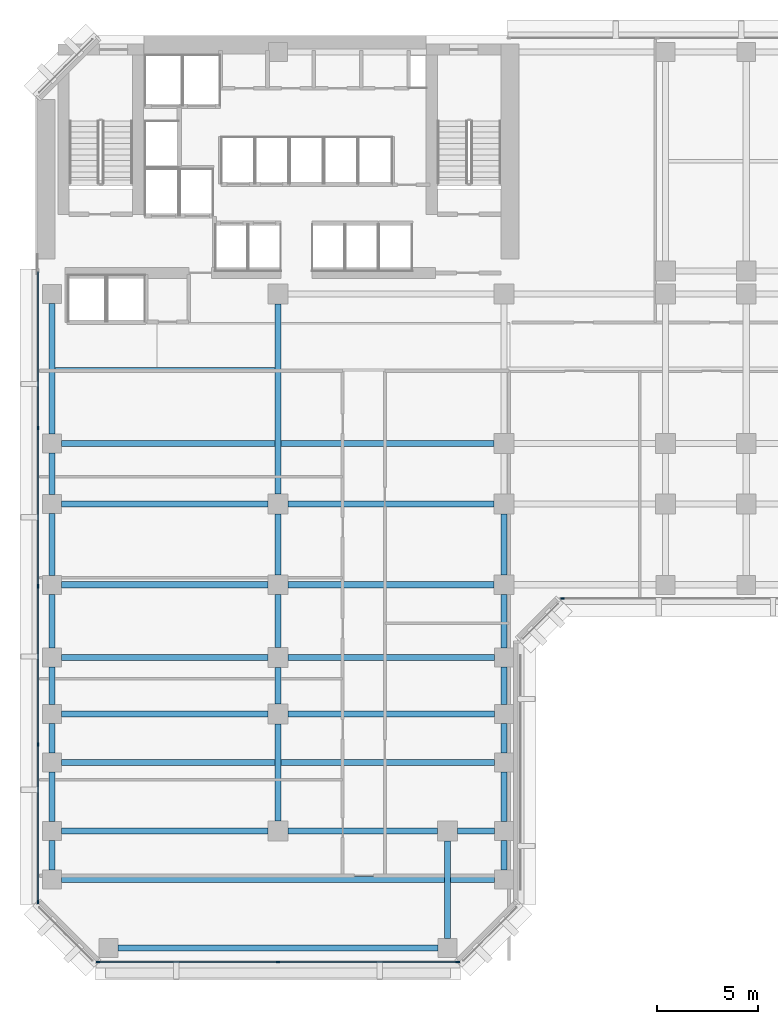
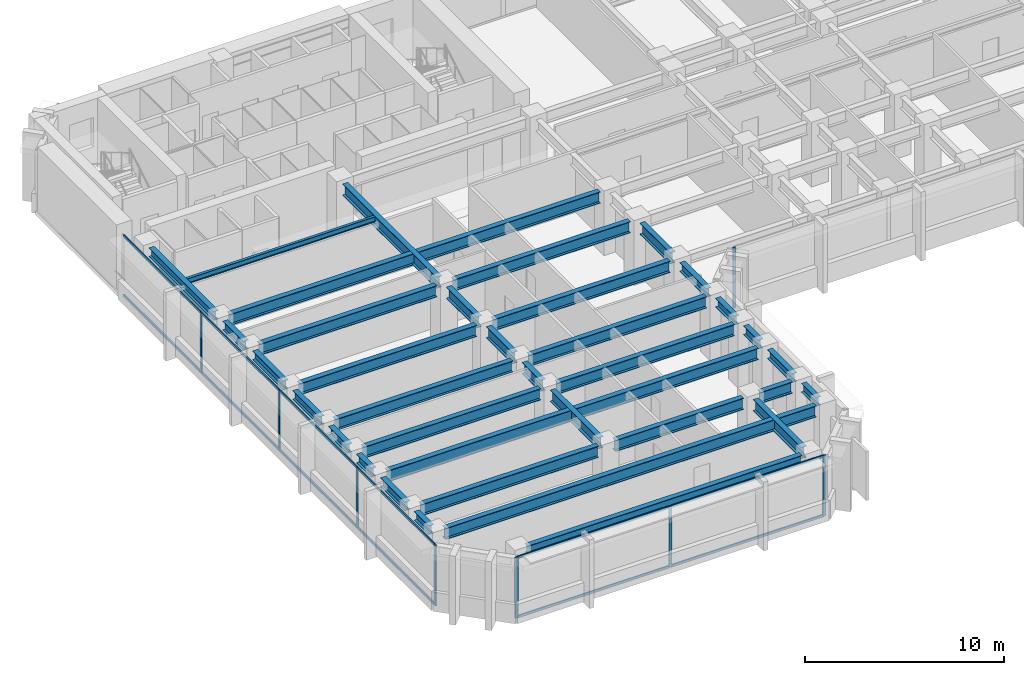
# One storey, part 2 of 13: 36 beams, 20 members, 3 elements without a shape of their own.
"""IFC4 building model written with IfcOpenShell, lengths in metres."""

from ifc_helpers import new_model, si_unit, direction, frame, origin, origin_2d, place, context, subcontext, project, spatial, rectangle, i_section, extrude, material, layer, layer_set, material_profile, profile_set, type_object, element, aggregate, save


model = new_model("IFC4")

# Units and contexts
model_context = context("Model", 3, precision=1e-05, world=origin(), true_north=direction((0.0, 1.0)))
body_context = subcontext(model_context, "Body", "Model", "MODEL_VIEW")
ifc_project = project(units=[si_unit("LENGTHUNIT", "METRE"), si_unit("AREAUNIT", "SQUARE_METRE"), si_unit("VOLUMEUNIT", "CUBIC_METRE"), si_unit("PLANEANGLEUNIT", "RADIAN"), si_unit("MASSUNIT", "GRAM", prefix="KILO")], contexts=[model_context])

# Site, building, storey
site_placement = place(None, origin())
site = spatial("IfcSite", under=ifc_project, at=site_placement, CompositionType="ELEMENT")
building_placement = place(site_placement, origin())
building = spatial("IfcBuilding", under=site, at=building_placement, Name="Kefirva Bronze Tower", CompositionType="ELEMENT")
storey_placement = place(building_placement, frame((0.0, 0.0, 58.080078125)))
storey = spatial("IfcBuildingStorey", under=building, at=storey_placement, Name="L13", CompositionType="ELEMENT", Elevation=58.080078125)

# Curtain wall, members
ifc_material_1 = material(Name="Bronze anodised aluminium", Category="aluminium")
ifc_layer = layer(ifc_material_1, 0.199951171875, Name="Bronze anodised aluminium")
ifc_layer_set = layer_set([ifc_layer], Name="Bronze anodised aluminium")
curtain_wall_type = type_object("IfcCurtainWallType", Name="Unitised Bronze Ribbon Curtain Wall Zone 1", PredefinedType="USERDEFINED", material=ifc_layer_set)
curtain_wall_1_placement = place(storey_placement, origin())
curtain_wall_1 = element("IfcCurtainWall", 1, at=curtain_wall_1_placement, inside=storey, type_object=curtain_wall_type, Name="L13 Curtain Wall 1", ObjectType="UNITISED CURTAIN WALL", PredefinedType="USERDEFINED")
ifc_material_profile_1 = material_profile(ifc_material_1, rectangle(XDim=0.074951171875, YDim=0.179931640625, at=origin_2d()), Name="ALU 75x180")
ifc_profile_set_1 = profile_set([ifc_material_profile_1], Name="Bronze anodised aluminium")
member_type_1 = type_object("IfcMemberType", Name="Bronze Mullion 75x180", PredefinedType="MULLION", material=ifc_profile_set_1)
member_1_placement = place(storey_placement, frame((3.092529296875, 0.1201171875, 0.0), z_axis=(0.0, 0.0, 1.0), x_axis=(0.0, 1.0, 0.0)))
member_1 = element("IfcMember", 2, at=member_1_placement, type_object=member_type_1, Name="CW-01 mullion 1", PredefinedType="MULLION", context=body_context, shape_type="SweptSolid", body=[
    extrude(rectangle(XDim=0.074951171875, YDim=0.179931640625, at=origin_2d()), origin(), (0.0, 0.0, 1.0), 3.7099609375),
])
member_2_placement = place(storey_placement, frame((12.0, 0.1201171875, 0.0), z_axis=(0.0, 0.0, 1.0), x_axis=(0.0, 1.0, 0.0)))
member_2 = element("IfcMember", 3, at=member_2_placement, type_object=member_type_1, Name="CW-01 mullion 2", PredefinedType="MULLION", context=body_context, shape_type="SweptSolid", body=[
    extrude(rectangle(XDim=0.074951171875, YDim=0.179931640625, at=origin_2d()), origin(), (0.0, 0.0, 1.0), 3.7099609375),
])
member_3_placement = place(storey_placement, frame((20.907470703125, 0.1201171875, 0.0), z_axis=(0.0, 0.0, 1.0), x_axis=(0.0, 1.0, 0.0)))
member_3 = element("IfcMember", 4, at=member_3_placement, type_object=member_type_1, Name="CW-01 mullion 3", PredefinedType="MULLION", context=body_context, shape_type="SweptSolid", body=[
    extrude(rectangle(XDim=0.074951171875, YDim=0.179931640625, at=origin_2d()), origin(), (0.0, 0.0, 1.0), 3.7099609375),
])

# Curtain wall, member
curtain_wall_2_placement = place(storey_placement, origin())
curtain_wall_2 = element("IfcCurtainWall", 5, at=curtain_wall_2_placement, inside=storey, type_object=curtain_wall_type, Name="L13 Curtain Wall 2", ObjectType="UNITISED CURTAIN WALL", PredefinedType="USERDEFINED")
member_4_placement = place(storey_placement, frame((26.092529296875, 18.1201171875, 0.0), z_axis=(0.0, 0.0, 1.0), x_axis=(0.0, 1.0, 0.0)))
member_4 = element("IfcMember", 6, at=member_4_placement, type_object=member_type_1, Name="CW-01 mullion 1", PredefinedType="MULLION", context=body_context, shape_type="SweptSolid", body=[
    extrude(rectangle(XDim=0.074951171875, YDim=0.179931640625, at=origin_2d()), origin(), (0.0, 0.0, 1.0), 3.7099609375),
])
aggregate(curtain_wall_2, [member_4])

# Curtain wall, members
curtain_wall_3_placement = place(storey_placement, origin())
curtain_wall_3 = element("IfcCurtainWall", 7, at=curtain_wall_3_placement, inside=storey, type_object=curtain_wall_type, Name="L13 Curtain Wall 5", ObjectType="UNITISED CURTAIN WALL", PredefinedType="USERDEFINED")
member_5_placement = place(storey_placement, frame((0.1201171875, 26.56005859375, 0.0), z_axis=(0.0, 0.0, 1.0), x_axis=(1.0, 0.0, 0.0)))
member_5 = element("IfcMember", 8, at=member_5_placement, type_object=member_type_1, Name="CW-01 mullion 2", PredefinedType="MULLION", context=body_context, shape_type="SweptSolid", body=[
    extrude(rectangle(XDim=0.074951171875, YDim=0.179931640625, at=origin_2d()), origin(), (0.0, 0.0, 1.0), 3.7099609375),
])
member_6_placement = place(storey_placement, frame((0.1201171875, 18.72509765625, 0.0), z_axis=(0.0, 0.0, 1.0), x_axis=(1.0, 0.0, 0.0)))
member_6 = element("IfcMember", 9, at=member_6_placement, type_object=member_type_1, Name="CW-01 mullion 3", PredefinedType="MULLION", context=body_context, shape_type="SweptSolid", body=[
    extrude(rectangle(XDim=0.074951171875, YDim=0.179931640625, at=origin_2d()), origin(), (0.0, 0.0, 1.0), 3.7099609375),
])
member_7_placement = place(storey_placement, frame((0.1201171875, 10.889892578125, 0.0), z_axis=(0.0, 0.0, 1.0), x_axis=(1.0, 0.0, 0.0)))
member_7 = element("IfcMember", 10, at=member_7_placement, type_object=member_type_1, Name="CW-01 mullion 4", PredefinedType="MULLION", context=body_context, shape_type="SweptSolid", body=[
    extrude(rectangle(XDim=0.074951171875, YDim=0.179931640625, at=origin_2d()), origin(), (0.0, 0.0, 1.0), 3.7099609375),
])
member_8_placement = place(storey_placement, frame((0.1201171875, 3.092529296875, 0.0), z_axis=(0.0, 0.0, 1.0), x_axis=(1.0, 0.0, 0.0)))
member_8 = element("IfcMember", 11, at=member_8_placement, type_object=member_type_1, Name="CW-01 mullion 5", PredefinedType="MULLION", context=body_context, shape_type="SweptSolid", body=[
    extrude(rectangle(XDim=0.074951171875, YDim=0.179931640625, at=origin_2d()), origin(), (0.0, 0.0, 1.0), 3.7099609375),
])

# Member
ifc_material_profile_2 = material_profile(ifc_material_1, rectangle(XDim=0.074951171875, YDim=0.14990234375, at=origin_2d()), Name="ALU 75x150")
ifc_profile_set_2 = profile_set([ifc_material_profile_2], Name="Bronze anodised aluminium")
member_type_2 = type_object("IfcMemberType", Name="Bronze Transom 75x150", PredefinedType="USERDEFINED", material=ifc_profile_set_2)
member_9_placement = place(storey_placement, frame((3.1298828125, 0.1201171875, 0.037353515625), z_axis=(1.0, 0.0, 0.0), x_axis=(0.0, 1.0, 0.0)))
member_9 = element("IfcMember", 12, at=member_9_placement, type_object=member_type_2, Name="CW-01 transom 1.1", ObjectType="TRANSOM", PredefinedType="USERDEFINED", context=body_context, shape_type="SweptSolid", body=[
    extrude(rectangle(XDim=0.074951171875, YDim=0.14990234375, at=origin_2d()), origin(), (0.0, 0.0, 1.0), 8.83251953125),
])

member_10_placement = place(storey_placement, frame((3.1298828125, 0.1201171875, 3.67236328125), z_axis=(1.0, 0.0, 0.0), x_axis=(0.0, 1.0, 0.0)))
member_10 = element("IfcMember", 13, at=member_10_placement, type_object=member_type_2, Name="CW-01 transom 1.2", ObjectType="TRANSOM", PredefinedType="USERDEFINED", context=body_context, shape_type="SweptSolid", body=[
    extrude(rectangle(XDim=0.074951171875, YDim=0.14990234375, at=origin_2d()), origin(), (0.0, 0.0, 1.0), 8.83251953125),
])

member_11_placement = place(storey_placement, frame((12.03759765625, 0.1201171875, 0.037353515625), z_axis=(1.0, 0.0, 0.0), x_axis=(0.0, 1.0, 0.0)))
member_11 = element("IfcMember", 14, at=member_11_placement, type_object=member_type_2, Name="CW-01 transom 2.1", ObjectType="TRANSOM", PredefinedType="USERDEFINED", context=body_context, shape_type="SweptSolid", body=[
    extrude(rectangle(XDim=0.074951171875, YDim=0.14990234375, at=origin_2d()), origin(), (0.0, 0.0, 1.0), 8.83251953125),
])

member_12_placement = place(storey_placement, frame((12.03759765625, 0.1201171875, 3.67236328125), z_axis=(1.0, 0.0, 0.0), x_axis=(0.0, 1.0, 0.0)))
member_12 = element("IfcMember", 15, at=member_12_placement, type_object=member_type_2, Name="CW-01 transom 2.2", ObjectType="TRANSOM", PredefinedType="USERDEFINED", context=body_context, shape_type="SweptSolid", body=[
    extrude(rectangle(XDim=0.074951171875, YDim=0.14990234375, at=origin_2d()), origin(), (0.0, 0.0, 1.0), 8.83251953125),
])

aggregate(curtain_wall_1, [member_1, member_2, member_3, member_9, member_10, member_11, member_12])

member_13_placement = place(storey_placement, frame((0.1201171875, 34.320068359375, 0.037353515625), z_axis=(0.0, -1.0, 0.0), x_axis=(1.0, 0.0, 0.0)))
member_13 = element("IfcMember", 16, at=member_13_placement, type_object=member_type_2, Name="CW-01 transom 1.1", ObjectType="TRANSOM", PredefinedType="USERDEFINED", context=body_context, shape_type="SweptSolid", body=[
    extrude(rectangle(XDim=0.074951171875, YDim=0.14990234375, at=origin_2d()), origin(), (0.0, 0.0, 1.0), 7.72265625),
])

member_14_placement = place(storey_placement, frame((0.1201171875, 34.320068359375, 3.67236328125), z_axis=(0.0, -1.0, 0.0), x_axis=(1.0, 0.0, 0.0)))
member_14 = element("IfcMember", 17, at=member_14_placement, type_object=member_type_2, Name="CW-01 transom 1.2", ObjectType="TRANSOM", PredefinedType="USERDEFINED", context=body_context, shape_type="SweptSolid", body=[
    extrude(rectangle(XDim=0.074951171875, YDim=0.14990234375, at=origin_2d()), origin(), (0.0, 0.0, 1.0), 7.72265625),
])

member_15_placement = place(storey_placement, frame((0.1201171875, 26.5224609375, 0.037353515625), z_axis=(0.0, -1.0, 0.0), x_axis=(1.0, 0.0, 0.0)))
member_15 = element("IfcMember", 18, at=member_15_placement, type_object=member_type_2, Name="CW-01 transom 2.1", ObjectType="TRANSOM", PredefinedType="USERDEFINED", context=body_context, shape_type="SweptSolid", body=[
    extrude(rectangle(XDim=0.074951171875, YDim=0.14990234375, at=origin_2d()), origin(), (0.0, 0.0, 1.0), 7.760009765625),
])

member_16_placement = place(storey_placement, frame((0.1201171875, 26.5224609375, 3.67236328125), z_axis=(0.0, -1.0, 0.0), x_axis=(1.0, 0.0, 0.0)))
member_16 = element("IfcMember", 19, at=member_16_placement, type_object=member_type_2, Name="CW-01 transom 2.2", ObjectType="TRANSOM", PredefinedType="USERDEFINED", context=body_context, shape_type="SweptSolid", body=[
    extrude(rectangle(XDim=0.074951171875, YDim=0.14990234375, at=origin_2d()), origin(), (0.0, 0.0, 1.0), 7.760009765625),
])

member_17_placement = place(storey_placement, frame((0.1201171875, 18.6875, 0.037353515625), z_axis=(0.0, -1.0, 0.0), x_axis=(1.0, 0.0, 0.0)))
member_17 = element("IfcMember", 20, at=member_17_placement, type_object=member_type_2, Name="CW-01 transom 3.1", ObjectType="TRANSOM", PredefinedType="USERDEFINED", context=body_context, shape_type="SweptSolid", body=[
    extrude(rectangle(XDim=0.074951171875, YDim=0.14990234375, at=origin_2d()), origin(), (0.0, 0.0, 1.0), 7.760009765625),
])

member_18_placement = place(storey_placement, frame((0.1201171875, 18.6875, 3.67236328125), z_axis=(0.0, -1.0, 0.0), x_axis=(1.0, 0.0, 0.0)))
member_18 = element("IfcMember", 21, at=member_18_placement, type_object=member_type_2, Name="CW-01 transom 3.2", ObjectType="TRANSOM", PredefinedType="USERDEFINED", context=body_context, shape_type="SweptSolid", body=[
    extrude(rectangle(XDim=0.074951171875, YDim=0.14990234375, at=origin_2d()), origin(), (0.0, 0.0, 1.0), 7.760009765625),
])

member_19_placement = place(storey_placement, frame((0.1201171875, 10.8525390625, 0.037353515625), z_axis=(0.0, -1.0, 0.0), x_axis=(1.0, 0.0, 0.0)))
member_19 = element("IfcMember", 22, at=member_19_placement, type_object=member_type_2, Name="CW-01 transom 4.1", ObjectType="TRANSOM", PredefinedType="USERDEFINED", context=body_context, shape_type="SweptSolid", body=[
    extrude(rectangle(XDim=0.074951171875, YDim=0.14990234375, at=origin_2d()), origin(), (0.0, 0.0, 1.0), 7.72265625),
])

member_20_placement = place(storey_placement, frame((0.1201171875, 10.8525390625, 3.67236328125), z_axis=(0.0, -1.0, 0.0), x_axis=(1.0, 0.0, 0.0)))
member_20 = element("IfcMember", 23, at=member_20_placement, type_object=member_type_2, Name="CW-01 transom 4.2", ObjectType="TRANSOM", PredefinedType="USERDEFINED", context=body_context, shape_type="SweptSolid", body=[
    extrude(rectangle(XDim=0.074951171875, YDim=0.14990234375, at=origin_2d()), origin(), (0.0, 0.0, 1.0), 7.72265625),
])

aggregate(curtain_wall_3, [member_5, member_6, member_7, member_8, member_13, member_14, member_15, member_16, member_17, member_18, member_19, member_20])

# Beams
ifc_material_2 = material(Name="Steel S355", Category="steel")
ifc_material_profile_3 = material_profile(ifc_material_2, i_section(OverallWidth=0.159912109375, OverallDepth=0.330078125, WebThickness=0.007568359375, FlangeThickness=0.011474609375, at=origin_2d()), Name="IPE 330")
ifc_profile_set_3 = profile_set([ifc_material_profile_3], Name="Steel S355")
beam_type_1 = type_object("IfcBeamType", Name="Steel Floor Joist IPE 330", PredefinedType="JOIST", material=ifc_profile_set_3)
beam_1_placement = place(storey_placement, frame((0.949951171875, 29.489990234375, 3.544921875), z_axis=(1.0, 0.0, 0.0), x_axis=(0.0, 1.0, 0.0)))
element("IfcBeam", 24, at=beam_1_placement, inside=storey, type_object=beam_type_1, Name="L13 JST-L13-0-294", PredefinedType="JOIST", context=body_context, shape_type="SweptSolid", body=[
    extrude(i_section(OverallWidth=0.159912109375, OverallDepth=0.330078125, WebThickness=0.007568359375, FlangeThickness=0.011474609375, at=origin_2d()), origin(), (0.0, 0.0, 1.0), 10.900146484375),
])
ifc_material_profile_4 = material_profile(ifc_material_2, i_section(OverallWidth=0.300048828125, OverallDepth=0.699951171875, WebThickness=0.01708984375, FlangeThickness=0.031982421875, at=origin_2d()), Name="HEB 700")
ifc_profile_set_4 = profile_set([ifc_material_profile_4], Name="Steel S355")
beam_type_2 = type_object("IfcBeamType", Name="Steel Girder HEB 700", PredefinedType="USERDEFINED", material=ifc_profile_set_4)
beam_2_placement = place(storey_placement, frame((1.27001953125, 4.199951171875, 3.35986328125), z_axis=(1.0, 0.0, 0.0), x_axis=(0.0, 1.0, 0.0)))
element("IfcBeam", 25, at=beam_2_placement, inside=storey, type_object=beam_type_2, Name="L13 BM-L13-EW-0-42", ObjectType="GIRDER", PredefinedType="USERDEFINED", context=body_context, shape_type="SweptSolid", body=[
    extrude(i_section(OverallWidth=0.300048828125, OverallDepth=0.699951171875, WebThickness=0.01708984375, FlangeThickness=0.031982421875, at=origin_2d()), origin(), (0.0, 0.0, 1.0), 21.4599609375),
])
beam_3_placement = place(storey_placement, frame((1.27001953125, 6.60009765625, 3.35986328125), z_axis=(1.0, 0.0, 0.0), x_axis=(0.0, 1.0, 0.0)))
element("IfcBeam", 26, at=beam_3_placement, inside=storey, type_object=beam_type_2, Name="L13 BM-L13-EW-0-66", ObjectType="GIRDER", PredefinedType="USERDEFINED", context=body_context, shape_type="SweptSolid", body=[
    extrude(i_section(OverallWidth=0.300048828125, OverallDepth=0.699951171875, WebThickness=0.01708984375, FlangeThickness=0.031982421875, at=origin_2d()), origin(), (0.0, 0.0, 1.0), 10.239990234375),
])
beam_4_placement = place(storey_placement, frame((12.489990234375, 6.60009765625, 3.35986328125), z_axis=(1.0, 0.0, 0.0), x_axis=(0.0, 1.0, 0.0)))
element("IfcBeam", 27, at=beam_4_placement, inside=storey, type_object=beam_type_2, Name="L13 BM-L13-EW-12-66", ObjectType="GIRDER", PredefinedType="USERDEFINED", context=body_context, shape_type="SweptSolid", body=[
    extrude(i_section(OverallWidth=0.300048828125, OverallDepth=0.699951171875, WebThickness=0.01708984375, FlangeThickness=0.031982421875, at=origin_2d()), origin(), (0.0, 0.0, 1.0), 7.419921875),
])
beam_5_placement = place(storey_placement, frame((20.889892578125, 6.60009765625, 3.35986328125), z_axis=(1.0, 0.0, 0.0), x_axis=(0.0, 1.0, 0.0)))
element("IfcBeam", 28, at=beam_5_placement, inside=storey, type_object=beam_type_2, Name="L13 BM-L13-EW-20-66", ObjectType="GIRDER", PredefinedType="USERDEFINED", context=body_context, shape_type="SweptSolid", body=[
    extrude(i_section(OverallWidth=0.300048828125, OverallDepth=0.699951171875, WebThickness=0.01708984375, FlangeThickness=0.031982421875, at=origin_2d()), origin(), (0.0, 0.0, 1.0), 1.840087890625),
])
beam_6_placement = place(storey_placement, frame((1.27001953125, 10.0, 3.35986328125), z_axis=(1.0, 0.0, 0.0), x_axis=(0.0, 1.0, 0.0)))
element("IfcBeam", 29, at=beam_6_placement, inside=storey, type_object=beam_type_2, Name="L13 BM-L13-EW-0-100", ObjectType="GIRDER", PredefinedType="USERDEFINED", context=body_context, shape_type="SweptSolid", body=[
    extrude(i_section(OverallWidth=0.300048828125, OverallDepth=0.699951171875, WebThickness=0.01708984375, FlangeThickness=0.031982421875, at=origin_2d()), origin(), (0.0, 0.0, 1.0), 21.4599609375),
])
for number, where, z_axis, x_axis, name in (
    (30, (1.27001953125, 12.39990234375, 3.35986328125), (1.0, 0.0, 0.0), (0.0, 1.0, 0.0), "L13 BM-L13-EW-0-124"),
    (31, (12.489990234375, 12.39990234375, 3.35986328125), (1.0, 0.0, 0.0), (0.0, 1.0, 0.0), "L13 BM-L13-EW-12-124"),
    (32, (1.27001953125, 15.199951171875, 3.35986328125), (1.0, 0.0, 0.0), (0.0, 1.0, 0.0), "L13 BM-L13-EW-0-152"),
    (33, (12.489990234375, 15.199951171875, 3.35986328125), (1.0, 0.0, 0.0), (0.0, 1.0, 0.0), "L13 BM-L13-EW-12-152"),
    (34, (1.27001953125, 18.800048828125, 3.35986328125), (1.0, 0.0, 0.0), (0.0, 1.0, 0.0), "L13 BM-L13-EW-0-188"),
):
    element("IfcBeam", number, at=place(storey_placement, frame(where, z_axis=z_axis, x_axis=x_axis)), inside=storey, type_object=beam_type_2, Name=name, ObjectType="GIRDER", PredefinedType="USERDEFINED", context=body_context, shape_type="SweptSolid", body=[
        extrude(i_section(OverallWidth=0.300048828125, OverallDepth=0.699951171875, WebThickness=0.01708984375, FlangeThickness=0.031982421875, at=origin_2d()), origin(), (0.0, 0.0, 1.0), 10.239990234375),
    ])
beam_7_placement = place(storey_placement, frame((12.489990234375, 18.800048828125, 3.35986328125), z_axis=(1.0, 0.0, 0.0), x_axis=(0.0, 1.0, 0.0)))
element("IfcBeam", 35, at=beam_7_placement, inside=storey, type_object=beam_type_2, Name="L13 BM-L13-EW-12-188", ObjectType="GIRDER", PredefinedType="USERDEFINED", context=body_context, shape_type="SweptSolid", body=[
    extrude(i_section(OverallWidth=0.300048828125, OverallDepth=0.699951171875, WebThickness=0.01708984375, FlangeThickness=0.031982421875, at=origin_2d()), origin(), (0.0, 0.0, 1.0), 10.219970703125),
])
beam_8_placement = place(storey_placement, frame((1.27001953125, 22.800048828125, 3.35986328125), z_axis=(1.0, 0.0, 0.0), x_axis=(0.0, 1.0, 0.0)))
element("IfcBeam", 36, at=beam_8_placement, inside=storey, type_object=beam_type_2, Name="L13 BM-L13-EW-0-228", ObjectType="GIRDER", PredefinedType="USERDEFINED", context=body_context, shape_type="SweptSolid", body=[
    extrude(i_section(OverallWidth=0.300048828125, OverallDepth=0.699951171875, WebThickness=0.01708984375, FlangeThickness=0.031982421875, at=origin_2d()), origin(), (0.0, 0.0, 1.0), 10.239990234375),
])
beam_9_placement = place(storey_placement, frame((12.489990234375, 22.800048828125, 3.35986328125), z_axis=(1.0, 0.0, 0.0), x_axis=(0.0, 1.0, 0.0)))
element("IfcBeam", 37, at=beam_9_placement, inside=storey, type_object=beam_type_2, Name="L13 BM-L13-EW-12-228", ObjectType="GIRDER", PredefinedType="USERDEFINED", context=body_context, shape_type="SweptSolid", body=[
    extrude(i_section(OverallWidth=0.300048828125, OverallDepth=0.699951171875, WebThickness=0.01708984375, FlangeThickness=0.031982421875, at=origin_2d()), origin(), (0.0, 0.0, 1.0), 10.219970703125),
])
beam_10_placement = place(storey_placement, frame((1.27001953125, 25.800048828125, 3.35986328125), z_axis=(1.0, 0.0, 0.0), x_axis=(0.0, 1.0, 0.0)))
element("IfcBeam", 38, at=beam_10_placement, inside=storey, type_object=beam_type_2, Name="L13 BM-L13-EW-0-258", ObjectType="GIRDER", PredefinedType="USERDEFINED", context=body_context, shape_type="SweptSolid", body=[
    extrude(i_section(OverallWidth=0.300048828125, OverallDepth=0.699951171875, WebThickness=0.01708984375, FlangeThickness=0.031982421875, at=origin_2d()), origin(), (0.0, 0.0, 1.0), 21.43994140625),
])
beam_11_placement = place(storey_placement, frame((12.0, 7.090087890625, 3.35986328125), z_axis=(0.0, 1.0, 0.0), x_axis=(-1.0, 0.0, 0.0)))
element("IfcBeam", 39, at=beam_11_placement, inside=storey, type_object=beam_type_2, Name="L13 BM-L13-NS-120-6", ObjectType="GIRDER", PredefinedType="USERDEFINED", context=body_context, shape_type="SweptSolid", body=[
    extrude(i_section(OverallWidth=0.300048828125, OverallDepth=0.699951171875, WebThickness=0.01708984375, FlangeThickness=0.031982421875, at=origin_2d()), origin(), (0.0, 0.0, 1.0), 4.81982421875),
])
beam_12_placement = place(storey_placement, frame((12.0, 12.889892578125, 3.35986328125), z_axis=(0.0, 1.0, 0.0), x_axis=(-1.0, 0.0, 0.0)))
element("IfcBeam", 40, at=beam_12_placement, inside=storey, type_object=beam_type_2, Name="L13 BM-L13-NS-120-12", ObjectType="GIRDER", PredefinedType="USERDEFINED", context=body_context, shape_type="SweptSolid", body=[
    extrude(i_section(OverallWidth=0.300048828125, OverallDepth=0.699951171875, WebThickness=0.01708984375, FlangeThickness=0.031982421875, at=origin_2d()), origin(), (0.0, 0.0, 1.0), 1.820068359375),
])
beam_13_placement = place(storey_placement, frame((12.0, 15.68994140625, 3.35986328125), z_axis=(0.0, 1.0, 0.0), x_axis=(-1.0, 0.0, 0.0)))
element("IfcBeam", 41, at=beam_13_placement, inside=storey, type_object=beam_type_2, Name="L13 BM-L13-NS-120-15", ObjectType="GIRDER", PredefinedType="USERDEFINED", context=body_context, shape_type="SweptSolid", body=[
    extrude(i_section(OverallWidth=0.300048828125, OverallDepth=0.699951171875, WebThickness=0.01708984375, FlangeThickness=0.031982421875, at=origin_2d()), origin(), (0.0, 0.0, 1.0), 2.6201171875),
])
beam_14_placement = place(storey_placement, frame((12.0, 19.2900390625, 3.35986328125), z_axis=(0.0, 1.0, 0.0), x_axis=(-1.0, 0.0, 0.0)))
element("IfcBeam", 42, at=beam_14_placement, inside=storey, type_object=beam_type_2, Name="L13 BM-L13-NS-120-18", ObjectType="GIRDER", PredefinedType="USERDEFINED", context=body_context, shape_type="SweptSolid", body=[
    extrude(i_section(OverallWidth=0.300048828125, OverallDepth=0.699951171875, WebThickness=0.01708984375, FlangeThickness=0.031982421875, at=origin_2d()), origin(), (0.0, 0.0, 1.0), 3.02001953125),
])
beam_15_placement = place(storey_placement, frame((12.0, 23.2900390625, 3.35986328125), z_axis=(0.0, 1.0, 0.0), x_axis=(-1.0, 0.0, 0.0)))
element("IfcBeam", 43, at=beam_15_placement, inside=storey, type_object=beam_type_2, Name="L13 BM-L13-NS-120-22", ObjectType="GIRDER", PredefinedType="USERDEFINED", context=body_context, shape_type="SweptSolid", body=[
    extrude(i_section(OverallWidth=0.300048828125, OverallDepth=0.699951171875, WebThickness=0.01708984375, FlangeThickness=0.031982421875, at=origin_2d()), origin(), (0.0, 0.0, 1.0), 9.419921875),
])
beam_16_placement = place(storey_placement, frame((20.39990234375, 1.27001953125, 3.35986328125), z_axis=(0.0, 1.0, 0.0), x_axis=(-1.0, 0.0, 0.0)))
element("IfcBeam", 44, at=beam_16_placement, inside=storey, type_object=beam_type_2, Name="L13 BM-L13-NS-204-0", ObjectType="GIRDER", PredefinedType="USERDEFINED", context=body_context, shape_type="SweptSolid", body=[
    extrude(i_section(OverallWidth=0.300048828125, OverallDepth=0.699951171875, WebThickness=0.01708984375, FlangeThickness=0.031982421875, at=origin_2d()), origin(), (0.0, 0.0, 1.0), 4.840087890625),
])
beam_17_placement = place(storey_placement, frame((23.199951171875, 19.2900390625, 3.35986328125), z_axis=(0.0, 1.0, 0.0), x_axis=(-1.0, 0.0, 0.0)))
element("IfcBeam", 45, at=beam_17_placement, inside=storey, type_object=beam_type_2, Name="L13 BM-L13-NS-232-18", ObjectType="GIRDER", PredefinedType="USERDEFINED", context=body_context, shape_type="SweptSolid", body=[
    extrude(i_section(OverallWidth=0.300048828125, OverallDepth=0.699951171875, WebThickness=0.01708984375, FlangeThickness=0.031982421875, at=origin_2d()), origin(), (0.0, 0.0, 1.0), 3.02001953125),
])
ifc_material_profile_5 = material_profile(ifc_material_2, i_section(OverallWidth=0.300048828125, OverallDepth=0.550048828125, WebThickness=0.014892578125, FlangeThickness=0.029052734375, at=origin_2d()), Name="HEB 550")
ifc_profile_set_5 = profile_set([ifc_material_profile_5], Name="Steel S355")
beam_type_3 = type_object("IfcBeamType", Name="Steel Spandrel HEB 550 Ext", PredefinedType="SPANDREL", material=ifc_profile_set_5)
beam_18_placement = place(storey_placement, frame((4.070068359375, 0.800048828125, 3.434814453125), z_axis=(1.0, 0.0, 0.0), x_axis=(0.0, 1.0, 0.0)))
element("IfcBeam", 46, at=beam_18_placement, inside=storey, type_object=beam_type_3, Name="L13 BM-L13-EW-3-8", PredefinedType="SPANDREL", context=body_context, shape_type="SweptSolid", body=[
    extrude(i_section(OverallWidth=0.300048828125, OverallDepth=0.550048828125, WebThickness=0.014892578125, FlangeThickness=0.029052734375, at=origin_2d()), origin(), (0.0, 0.0, 1.0), 15.85986328125),
])
beam_19_placement = place(storey_placement, frame((0.800048828125, 4.669921875, 3.434814453125), z_axis=(0.0, 1.0, 0.0), x_axis=(-1.0, 0.0, 0.0)))
element("IfcBeam", 47, at=beam_19_placement, inside=storey, type_object=beam_type_3, Name="L13 BM-L13-NS-8-4", PredefinedType="SPANDREL", context=body_context, shape_type="SweptSolid", body=[
    extrude(i_section(OverallWidth=0.300048828125, OverallDepth=0.550048828125, WebThickness=0.014892578125, FlangeThickness=0.029052734375, at=origin_2d()), origin(), (0.0, 0.0, 1.0), 1.4599609375),
])
beam_20_placement = place(storey_placement, frame((0.800048828125, 7.070068359375, 3.434814453125), z_axis=(0.0, 1.0, 0.0), x_axis=(-1.0, 0.0, 0.0)))
element("IfcBeam", 48, at=beam_20_placement, inside=storey, type_object=beam_type_3, Name="L13 BM-L13-NS-8-6", PredefinedType="SPANDREL", context=body_context, shape_type="SweptSolid", body=[
    extrude(i_section(OverallWidth=0.300048828125, OverallDepth=0.550048828125, WebThickness=0.014892578125, FlangeThickness=0.029052734375, at=origin_2d()), origin(), (0.0, 0.0, 1.0), 2.4599609375),
])
beam_21_placement = place(storey_placement, frame((0.800048828125, 10.469970703125, 3.434814453125), z_axis=(0.0, 1.0, 0.0), x_axis=(-1.0, 0.0, 0.0)))
element("IfcBeam", 49, at=beam_21_placement, inside=storey, type_object=beam_type_3, Name="L13 BM-L13-NS-8-10", PredefinedType="SPANDREL", context=body_context, shape_type="SweptSolid", body=[
    extrude(i_section(OverallWidth=0.300048828125, OverallDepth=0.550048828125, WebThickness=0.014892578125, FlangeThickness=0.029052734375, at=origin_2d()), origin(), (0.0, 0.0, 1.0), 1.4599609375),
])
beam_22_placement = place(storey_placement, frame((0.800048828125, 12.8701171875, 3.434814453125), z_axis=(0.0, 1.0, 0.0), x_axis=(-1.0, 0.0, 0.0)))
element("IfcBeam", 50, at=beam_22_placement, inside=storey, type_object=beam_type_3, Name="L13 BM-L13-NS-8-12", PredefinedType="SPANDREL", context=body_context, shape_type="SweptSolid", body=[
    extrude(i_section(OverallWidth=0.300048828125, OverallDepth=0.550048828125, WebThickness=0.014892578125, FlangeThickness=0.029052734375, at=origin_2d()), origin(), (0.0, 0.0, 1.0), 1.85986328125),
])
beam_23_placement = place(storey_placement, frame((0.800048828125, 15.669921875, 3.434814453125), z_axis=(0.0, 1.0, 0.0), x_axis=(-1.0, 0.0, 0.0)))
element("IfcBeam", 51, at=beam_23_placement, inside=storey, type_object=beam_type_3, Name="L13 BM-L13-NS-8-15", PredefinedType="SPANDREL", context=body_context, shape_type="SweptSolid", body=[
    extrude(i_section(OverallWidth=0.300048828125, OverallDepth=0.550048828125, WebThickness=0.014892578125, FlangeThickness=0.029052734375, at=origin_2d()), origin(), (0.0, 0.0, 1.0), 2.66015625),
])
beam_24_placement = place(storey_placement, frame((0.800048828125, 19.27001953125, 3.434814453125), z_axis=(0.0, 1.0, 0.0), x_axis=(-1.0, 0.0, 0.0)))
element("IfcBeam", 52, at=beam_24_placement, inside=storey, type_object=beam_type_3, Name="L13 BM-L13-NS-8-18", PredefinedType="SPANDREL", context=body_context, shape_type="SweptSolid", body=[
    extrude(i_section(OverallWidth=0.300048828125, OverallDepth=0.550048828125, WebThickness=0.014892578125, FlangeThickness=0.029052734375, at=origin_2d()), origin(), (0.0, 0.0, 1.0), 3.06005859375),
])
beam_25_placement = place(storey_placement, frame((0.800048828125, 23.27001953125, 3.434814453125), z_axis=(0.0, 1.0, 0.0), x_axis=(-1.0, 0.0, 0.0)))
element("IfcBeam", 53, at=beam_25_placement, inside=storey, type_object=beam_type_3, Name="L13 BM-L13-NS-8-22", PredefinedType="SPANDREL", context=body_context, shape_type="SweptSolid", body=[
    extrude(i_section(OverallWidth=0.300048828125, OverallDepth=0.550048828125, WebThickness=0.014892578125, FlangeThickness=0.029052734375, at=origin_2d()), origin(), (0.0, 0.0, 1.0), 2.06005859375),
])
beam_26_placement = place(storey_placement, frame((0.800048828125, 26.27001953125, 3.434814453125), z_axis=(0.0, 1.0, 0.0), x_axis=(-1.0, 0.0, 0.0)))
element("IfcBeam", 54, at=beam_26_placement, inside=storey, type_object=beam_type_3, Name="L13 BM-L13-NS-8-25", PredefinedType="SPANDREL", context=body_context, shape_type="SweptSolid", body=[
    extrude(i_section(OverallWidth=0.300048828125, OverallDepth=0.550048828125, WebThickness=0.014892578125, FlangeThickness=0.029052734375, at=origin_2d()), origin(), (0.0, 0.0, 1.0), 6.4599609375),
])
beam_27_placement = place(storey_placement, frame((23.199951171875, 4.669921875, 3.434814453125), z_axis=(0.0, 1.0, 0.0), x_axis=(-1.0, 0.0, 0.0)))
element("IfcBeam", 55, at=beam_27_placement, inside=storey, type_object=beam_type_3, Name="L13 BM-L13-NS-232-4", PredefinedType="SPANDREL", context=body_context, shape_type="SweptSolid", body=[
    extrude(i_section(OverallWidth=0.300048828125, OverallDepth=0.550048828125, WebThickness=0.014892578125, FlangeThickness=0.029052734375, at=origin_2d()), origin(), (0.0, 0.0, 1.0), 1.4599609375),
])
beam_28_placement = place(storey_placement, frame((23.199951171875, 7.070068359375, 3.434814453125), z_axis=(0.0, 1.0, 0.0), x_axis=(-1.0, 0.0, 0.0)))
element("IfcBeam", 56, at=beam_28_placement, inside=storey, type_object=beam_type_3, Name="L13 BM-L13-NS-232-6", PredefinedType="SPANDREL", context=body_context, shape_type="SweptSolid", body=[
    extrude(i_section(OverallWidth=0.300048828125, OverallDepth=0.550048828125, WebThickness=0.014892578125, FlangeThickness=0.029052734375, at=origin_2d()), origin(), (0.0, 0.0, 1.0), 2.4599609375),
])
beam_29_placement = place(storey_placement, frame((23.199951171875, 10.469970703125, 3.434814453125), z_axis=(0.0, 1.0, 0.0), x_axis=(-1.0, 0.0, 0.0)))
element("IfcBeam", 57, at=beam_29_placement, inside=storey, type_object=beam_type_3, Name="L13 BM-L13-NS-232-10", PredefinedType="SPANDREL", context=body_context, shape_type="SweptSolid", body=[
    extrude(i_section(OverallWidth=0.300048828125, OverallDepth=0.550048828125, WebThickness=0.014892578125, FlangeThickness=0.029052734375, at=origin_2d()), origin(), (0.0, 0.0, 1.0), 1.4599609375),
])
beam_30_placement = place(storey_placement, frame((23.199951171875, 12.8701171875, 3.434814453125), z_axis=(0.0, 1.0, 0.0), x_axis=(-1.0, 0.0, 0.0)))
element("IfcBeam", 58, at=beam_30_placement, inside=storey, type_object=beam_type_3, Name="L13 BM-L13-NS-232-12", PredefinedType="SPANDREL", context=body_context, shape_type="SweptSolid", body=[
    extrude(i_section(OverallWidth=0.300048828125, OverallDepth=0.550048828125, WebThickness=0.014892578125, FlangeThickness=0.029052734375, at=origin_2d()), origin(), (0.0, 0.0, 1.0), 1.85986328125),
])
beam_31_placement = place(storey_placement, frame((23.199951171875, 15.669921875, 3.434814453125), z_axis=(0.0, 1.0, 0.0), x_axis=(-1.0, 0.0, 0.0)))
element("IfcBeam", 59, at=beam_31_placement, inside=storey, type_object=beam_type_3, Name="L13 BM-L13-NS-232-15", PredefinedType="SPANDREL", context=body_context, shape_type="SweptSolid", body=[
    extrude(i_section(OverallWidth=0.300048828125, OverallDepth=0.550048828125, WebThickness=0.014892578125, FlangeThickness=0.029052734375, at=origin_2d()), origin(), (0.0, 0.0, 1.0), 2.64013671875),
])

save(model, "model.ifc")
